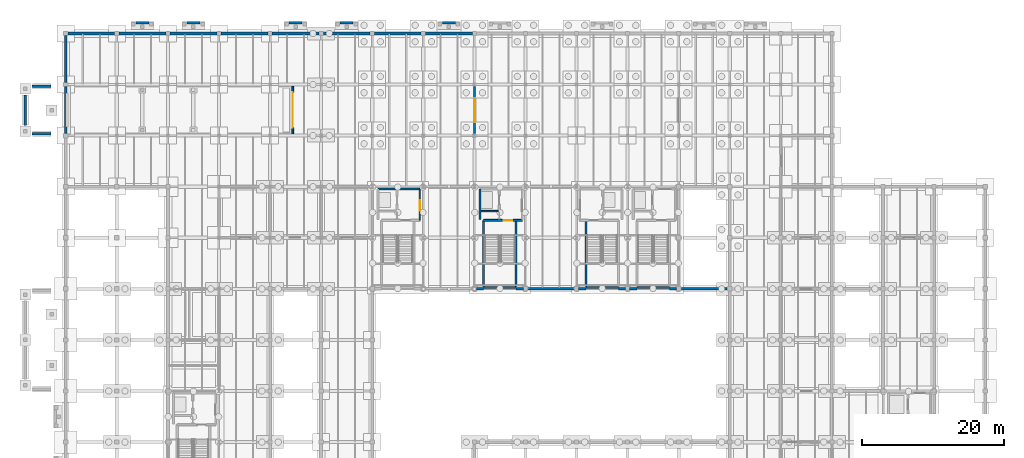
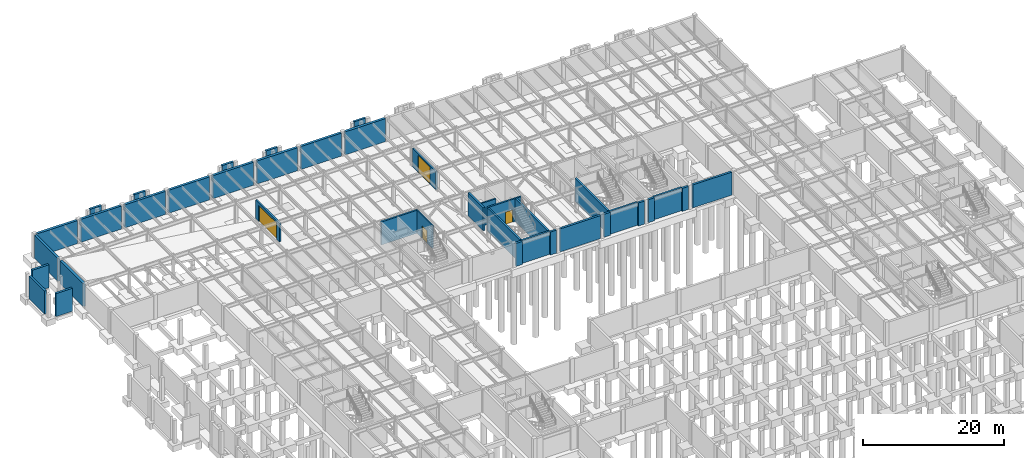
# One storey, part 35 of 46: 39 walls, 4 doors, 4 openings.
"""IFC4 building model written with IfcOpenShell, lengths in metres."""

from ifc_helpers import new_model, si_unit, direction, frame, frame_2d, origin, place, context, subcontext, project, spatial, rectangle, extrude, material, layer, layer_set, type_object, element, fill, save


model = new_model("IFC4")

# Units and contexts
model_context = context("Model", 3, precision=1e-05, world=origin(), true_north=direction((0.0, 1.0)))
body_context = subcontext(model_context, "Body", "Model", "MODEL_VIEW")
ifc_project = project(units=[si_unit("LENGTHUNIT", "METRE"), si_unit("AREAUNIT", "SQUARE_METRE"), si_unit("VOLUMEUNIT", "CUBIC_METRE"), si_unit("PLANEANGLEUNIT", "RADIAN"), si_unit("MASSUNIT", "GRAM", prefix="KILO")], contexts=[model_context])

# Site, building, storey
site_placement = place(None, origin())
site = spatial("IfcSite", under=ifc_project, at=site_placement, CompositionType="ELEMENT")
building_placement = place(site_placement, origin())
building = spatial("IfcBuilding", under=site, at=building_placement, Name="Sillqori Civic Hall", CompositionType="ELEMENT")
storey_placement = place(building_placement, frame((0.0, 0.0, -4.199951171875)))
storey = spatial("IfcBuildingStorey", under=building, at=storey_placement, Name="B01", CompositionType="ELEMENT", Elevation=-4.199951171875)

# Wall, opening, door
ifc_material_1 = material(Name="Concrete C35/45 (H35)", Category="concrete")
ifc_layer_1 = layer(ifc_material_1, 0.219970703125)
ifc_layer_set_1 = layer_set([ifc_layer_1], Name="Concrete C35/45 (H35)")
wall_type_1 = type_object("IfcWallType", Name="CW-SHR-220", PredefinedType="SHEAR", material=ifc_layer_set_1)
wall_1_placement = place(storey_placement, frame((57.1201171875, 93.300048828125, 0.0), z_axis=(0.0, 0.0, 1.0), x_axis=(0.0, -1.0, 0.0)))
wall_1 = element("IfcWall", 1, at=wall_1_placement, inside=storey, type_object=wall_type_1, Name="B01 C5 firefighting lobby enclosure wall", PredefinedType="SHEAR", context=body_context, shape_type="SweptSolid", body=[
    extrude(rectangle(XDim=4.449951171875, YDim=0.219970703125, at=frame_2d((2.22509765625, 0.0))), origin(), (0.0, 0.0, 1.0), 3.97998046875),
])
opening_1_placement = place(wall_1_placement, frame((1.625, 0.0, 0.0)))
opening_1 = element("IfcOpeningElement", 2, at=opening_1_placement, cuts=wall_1, Name="Opening FD-03", PredefinedType="OPENING", context=body_context, shape_type="SweptSolid", body=[
    extrude(rectangle(XDim=1.449951171875, YDim=2.199951171875, at=frame_2d((0.72509765625, 1.10009765625))), frame((0.0, 0.119873046875, 0.0), z_axis=(0.0, -1.0, 0.0), x_axis=(1.0, 0.0, 0.0)), (0.0, 0.0, 1.0), 0.239990234375),
])
ifc_material_2 = material(Name="Double-Leaf Smoke-Seal Lobby Door", Category="steel")
door_type_1 = type_object("IfcDoorType", Name="FDR-LOB-145X220", OperationType="NOTDEFINED", PredefinedType="DOOR", material=ifc_material_2)
door_1_placement = place(opening_1_placement, origin())
door_1 = element("IfcDoor", 3, at=door_1_placement, inside=storey, type_object=door_type_1, Name="B01 C5 firefighting lobby exit door", OperationType="DOUBLE_DOOR_SINGLE_SWING", OverallHeight=2.199951171875, OverallWidth=1.449951171875, PredefinedType="DOOR", context=body_context, shape_type="SweptSolid", body=[
    extrude(rectangle(XDim=1.449951171875, YDim=2.199951171875, at=frame_2d((0.72509765625, 1.10009765625))), frame((0.0, 0.02490234375, 0.0), z_axis=(0.0, -1.0, 0.0), x_axis=(1.0, 0.0, 0.0)), (0.0, 0.0, 1.0), 0.050048828125),
])
fill(opening_1, door_1)

# Wall
wall_2_placement = place(storey_placement, frame((65.75, 90.14990234375, 0.0), z_axis=(0.0, 0.0, 1.0), x_axis=(1.0, 0.0, 0.0)))
element("IfcWall", 4, at=wall_2_placement, inside=storey, type_object=wall_type_1, Name="B01 C6 Lift-riser divider wall", PredefinedType="SHEAR", context=body_context, shape_type="SweptSolid", body=[
    extrude(rectangle(XDim=2.39990234375, YDim=0.219970703125, at=frame_2d((1.199951171875, 0.0))), origin(), (0.0, 0.0, 1.0), 3.97998046875),
])

# Wall, opening, door
ifc_layer_2 = layer(ifc_material_1, 0.260009765625)
ifc_layer_set_2 = layer_set([ifc_layer_2], Name="Concrete C35/45 (H35)")
wall_type_2 = type_object("IfcWallType", Name="CW-SHR-260", PredefinedType="SHEAR", material=ifc_layer_set_2)
wall_3_placement = place(storey_placement, frame((66.110107421875, 88.85009765625, 0.0), z_axis=(0.0, 0.0, 1.0), x_axis=(1.0, 0.0, 0.0)))
wall_3 = element("IfcWall", 5, at=wall_3_placement, inside=storey, type_object=wall_type_2, Name="B01 C6 Stair-lobby fire wall", PredefinedType="SHEAR", context=body_context, shape_type="SweptSolid", body=[
    extrude(rectangle(XDim=5.409912109375, YDim=0.260009765625, at=frame_2d((2.705078125, 0.0))), origin(), (0.0, 0.0, 1.0), 3.97998046875),
])
opening_2_placement = place(wall_3_placement, frame((2.840087890625, 0.0, 0.0)))
opening_2 = element("IfcOpeningElement", 6, at=opening_2_placement, cuts=wall_3, Name="Opening FD-02", PredefinedType="OPENING", context=body_context, shape_type="SweptSolid", body=[
    extrude(rectangle(XDim=1.219970703125, YDim=2.14990234375, at=frame_2d((0.60986328125, 1.074951171875))), frame((0.0, 0.139892578125, 0.0), z_axis=(0.0, -1.0, 0.0), x_axis=(1.0, 0.0, 0.0)), (0.0, 0.0, 1.0), 0.280029296875),
])
ifc_material_3 = material(Name="Galvanized Steel Fire Door FD120S", Category="steel")
door_type_2 = type_object("IfcDoorType", Name="FDR-STR-122X215", OperationType="NOTDEFINED", PredefinedType="DOOR", material=ifc_material_3)
door_2_placement = place(opening_2_placement, origin())
door_2 = element("IfcDoor", 7, at=door_2_placement, inside=storey, type_object=door_type_2, Name="B01 stair ST-06 fire door", OperationType="SINGLE_SWING_RIGHT", OverallHeight=2.14990234375, OverallWidth=1.219970703125, PredefinedType="DOOR", context=body_context, shape_type="SweptSolid", body=[
    extrude(rectangle(XDim=1.219970703125, YDim=2.14990234375, at=frame_2d((0.60986328125, 1.074951171875))), frame((0.0, 0.02490234375, 0.0), z_axis=(0.0, -1.0, 0.0), x_axis=(1.0, 0.0, 0.0)), (0.0, 0.0, 1.0), 0.050048828125),
])
fill(opening_2, door_2)

# Walls
ifc_layer_3 = layer(ifc_material_1, 0.300048828125)
ifc_layer_set_3 = layer_set([ifc_layer_3], Name="Concrete C35/45 (H35)")
wall_type_3 = type_object("IfcWallType", Name="CW-SHR-300", PredefinedType="SHEAR", material=ifc_layer_set_3)
wall_4_placement = place(storey_placement, frame((51.199951171875, 93.300048828125, 0.0), z_axis=(0.0, 0.0, 1.0), x_axis=(1.0, 0.0, 0.0)))
element("IfcWall", 8, at=wall_4_placement, inside=storey, type_object=wall_type_3, Name="B01 C5 Core north shear wall", PredefinedType="SHEAR", context=body_context, shape_type="SweptSolid", body=[
    extrude(rectangle(XDim=5.920166015625, YDim=0.300048828125, at=frame_2d((2.9599609375, 0.0))), origin(), (0.0, 0.0, 1.0), 3.97998046875),
])
wall_5_placement = place(storey_placement, frame((66.110107421875, 79.39990234375, 0.0), z_axis=(0.0, 0.0, 1.0), x_axis=(1.0, 0.0, 0.0)))
element("IfcWall", 9, at=wall_5_placement, inside=storey, type_object=wall_type_3, Name="B01 C6 Stair south shear wall", PredefinedType="SHEAR", context=body_context, shape_type="SweptSolid", body=[
    extrude(rectangle(XDim=4.579833984375, YDim=0.300048828125, at=frame_2d((2.2900390625, 0.0))), origin(), (0.0, 0.0, 1.0), 3.97998046875),
])
for number, where, z_axis, x_axis, name in (
    (10, (66.110107421875, 79.550048828125, 0.0), (0.0, 0.0, 1.0), (0.0, 1.0, 0.0), "B01 C6 Stair west shear wall"),
    (11, (70.68994140625, 79.550048828125, 0.0), (0.0, 0.0, 1.0), (0.0, 1.0, 0.0), "B01 C6 Stair east shear wall"),
):
    element("IfcWall", number, at=place(storey_placement, frame(where, z_axis=z_axis, x_axis=x_axis)), inside=storey, type_object=wall_type_3, Name=name, PredefinedType="SHEAR", context=body_context, shape_type="SweptSolid", body=[
        extrude(rectangle(XDim=9.300048828125, YDim=0.300048828125, at=frame_2d((4.64990234375, 0.0))), origin(), (0.0, 0.0, 1.0), 3.97998046875),
    ])
wall_6_placement = place(storey_placement, frame((65.60009765625, 88.97998046875, 0.0), z_axis=(0.0, 0.0, 1.0), x_axis=(0.0, 1.0, 0.0)))
element("IfcWall", 12, at=wall_6_placement, inside=storey, type_object=wall_type_3, Name="B01 C6 Lift shaft west shear wall", PredefinedType="SHEAR", context=body_context, shape_type="SweptSolid", body=[
    extrude(rectangle(XDim=4.320068359375, YDim=0.300048828125, at=frame_2d((2.16015625, 0.0))), origin(), (0.0, 0.0, 1.0), 3.97998046875),
])
wall_7_placement = place(storey_placement, frame((80.510009765625, 79.39990234375, 0.0), z_axis=(0.0, 0.0, 1.0), x_axis=(1.0, 0.0, 0.0)))
element("IfcWall", 13, at=wall_7_placement, inside=storey, type_object=wall_type_3, Name="B01 C7 Stair south shear wall", PredefinedType="SHEAR", context=body_context, shape_type="SweptSolid", body=[
    extrude(rectangle(XDim=4.580078125, YDim=0.300048828125, at=frame_2d((2.2900390625, 0.0))), origin(), (0.0, 0.0, 1.0), 3.97998046875),
])
wall_8_placement = place(storey_placement, frame((80.510009765625, 79.550048828125, 0.0), z_axis=(0.0, 0.0, 1.0), x_axis=(0.0, 1.0, 0.0)))
element("IfcWall", 14, at=wall_8_placement, inside=storey, type_object=wall_type_3, Name="B01 C7 Stair west shear wall", PredefinedType="SHEAR", context=body_context, shape_type="SweptSolid", body=[
    extrude(rectangle(XDim=9.300048828125, YDim=0.300048828125, at=frame_2d((4.64990234375, 0.0))), origin(), (0.0, 0.0, 1.0), 3.97998046875),
])
wall_9_placement = place(storey_placement, frame((87.7099609375, 79.39990234375, 0.0), z_axis=(0.0, 0.0, 1.0), x_axis=(1.0, 0.0, 0.0)))
element("IfcWall", 15, at=wall_9_placement, inside=storey, type_object=wall_type_3, Name="B01 C8 Stair south shear wall", PredefinedType="SHEAR", context=body_context, shape_type="SweptSolid", body=[
    extrude(rectangle(XDim=4.580078125, YDim=0.300048828125, at=frame_2d((2.2900390625, 0.0))), origin(), (0.0, 0.0, 1.0), 3.97998046875),
])

# Wall, opening, door
ifc_material_4 = material(Name="Concrete C30/37 (H30)", Category="concrete")
ifc_layer_4 = layer(ifc_material_4, 0.260009765625)
ifc_layer_set_4 = layer_set([ifc_layer_4], Name="Concrete C30/37 (H30)")
wall_type_4 = type_object("IfcWallType", Name="EW-MAS-260", PredefinedType="SOLIDWALL", material=ifc_layer_set_4)
wall_10_placement = place(storey_placement, frame((39.199951171875, 101.050048828125, 0.0), z_axis=(0.0, 0.0, 1.0), x_axis=(0.0, 1.0, 0.0)))
wall_10 = element("IfcWall", 16, at=wall_10_placement, inside=storey, type_object=wall_type_4, Name="B01 vehicle ramp arrival portal wall", PredefinedType="SOLIDWALL", context=body_context, shape_type="SweptSolid", body=[
    extrude(rectangle(XDim=6.699951171875, YDim=0.260009765625, at=frame_2d((3.35009765625, 0.0))), origin(), (0.0, 0.0, 1.0), 3.219970703125),
])
opening_3_placement = place(wall_10_placement, frame((0.85009765625, 0.0, 0.0)))
opening_3 = element("IfcOpeningElement", 17, at=opening_3_placement, cuts=wall_10, Name="Opening DG-02", PredefinedType="OPENING", context=body_context, shape_type="SweptSolid", body=[
    extrude(rectangle(XDim=5.0, YDim=2.800048828125, at=frame_2d((2.5, 1.39990234375))), frame((0.0, 0.139892578125, 0.0), z_axis=(0.0, -1.0, 0.0), x_axis=(1.0, 0.0, 0.0)), (0.0, 0.0, 1.0), 0.280029296875),
])
ifc_material_5 = material(Name="Galvanized Insulated Steel", Category="steel")
door_type_3 = type_object("IfcDoorType", Name="GAT-BSMT-500X280", OperationType="NOTDEFINED", PredefinedType="GATE", material=ifc_material_5)
door_3_placement = place(opening_3_placement, origin())
door_3 = element("IfcDoor", 18, at=door_3_placement, inside=storey, type_object=door_type_3, Name="B01 car park security roller gate DG-02", OperationType="ROLLINGUP", OverallHeight=2.800048828125, OverallWidth=5.0, PredefinedType="GATE", context=body_context, shape_type="SweptSolid", body=[
    extrude(rectangle(XDim=5.0, YDim=2.800048828125, at=frame_2d((2.5, 1.39990234375))), frame((0.0, 0.02490234375, 0.0), z_axis=(0.0, -1.0, 0.0), x_axis=(1.0, 0.0, 0.0)), (0.0, 0.0, 1.0), 0.050048828125),
])
fill(opening_3, door_3)

wall_11_placement = place(storey_placement, frame((64.800048828125, 101.10009765625, 0.0), z_axis=(0.0, 0.0, 1.0), x_axis=(0.0, 1.0, 0.0)))
wall_11 = element("IfcWall", 19, at=wall_11_placement, inside=storey, type_object=wall_type_4, Name="B01 car park zone fire-shutter wall 1", PredefinedType="SOLIDWALL", context=body_context, shape_type="SweptSolid", body=[
    extrude(rectangle(XDim=6.599853515625, YDim=0.260009765625, at=frame_2d((3.2998046875, 0.0))), origin(), (0.0, 0.0, 1.0), 3.219970703125),
])
opening_4_placement = place(wall_11_placement, frame((1.60009765625, 0.0, 0.0)))
opening_4 = element("IfcOpeningElement", 20, at=opening_4_placement, cuts=wall_11, Name="Opening DG-04", PredefinedType="OPENING", context=body_context, shape_type="SweptSolid", body=[
    extrude(rectangle(XDim=3.39990234375, YDim=2.949951171875, at=frame_2d((1.699951171875, 1.47509765625))), frame((0.0, 0.139892578125, 0.0), z_axis=(0.0, -1.0, 0.0), x_axis=(1.0, 0.0, 0.0)), (0.0, 0.0, 1.0), 0.280029296875),
])
door_type_4 = type_object("IfcDoorType", Name="GAT-YARD-340X360", OperationType="NOTDEFINED", PredefinedType="GATE", material=ifc_material_5)
door_4_placement = place(opening_4_placement, origin())
door_4 = element("IfcDoor", 21, at=door_4_placement, inside=storey, type_object=door_type_4, Name="B01 car park fire-zone gate 1", OperationType="ROLLINGUP", OverallHeight=2.949951171875, OverallWidth=3.39990234375, PredefinedType="GATE", context=body_context, shape_type="SweptSolid", body=[
    extrude(rectangle(XDim=3.39990234375, YDim=2.949951171875, at=frame_2d((1.699951171875, 1.47509765625))), frame((0.0, 0.02490234375, 0.0), z_axis=(0.0, -1.0, 0.0), x_axis=(1.0, 0.0, 0.0)), (0.0, 0.0, 1.0), 0.050048828125),
])
fill(opening_4, door_4)

# Walls
ifc_layer_5 = layer(ifc_material_1, 0.35009765625)
ifc_layer_set_5 = layer_set([ifc_layer_5], Name="Concrete C35/45 (H35)")
wall_type_5 = type_object("IfcWallType", Name="RW-H35-350", PredefinedType="USERDEFINED", material=ifc_layer_set_5)
for number, where, z_axis, x_axis, name in (
    (22, (65.10009765625, 79.199951171875, 0.0), (0.0, 0.0, 1.0), (1.0, 0.0, 0.0), "Basement retaining wall S 9-11 part 1"),
    (23, (70.68994140625, 79.199951171875, 0.0), (0.0, 0.0, 1.0), (1.0, 0.0, 0.0), "Basement retaining wall S 9-11 part 2"),
):
    element("IfcWall", number, at=place(storey_placement, frame(where, z_axis=z_axis, x_axis=x_axis)), inside=storey, type_object=wall_type_5, Name=name, ObjectType="RETAININGWALL", PredefinedType="USERDEFINED", context=body_context, shape_type="SweptSolid", body=[
        extrude(rectangle(XDim=1.010009765625, YDim=0.35009765625, at=frame_2d((0.5048828125, 0.0))), origin(), (0.0, 0.0, 1.0), 3.97998046875),
    ])
wall_12_placement = place(storey_placement, frame((72.300048828125, 79.199951171875, 0.0), z_axis=(0.0, 0.0, 1.0), x_axis=(1.0, 0.0, 0.0)))
element("IfcWall", 24, at=wall_12_placement, inside=storey, type_object=wall_type_5, Name="Basement retaining wall S 10-11", ObjectType="RETAININGWALL", PredefinedType="USERDEFINED", context=body_context, shape_type="SweptSolid", body=[
    extrude(rectangle(XDim=6.599853515625, YDim=0.35009765625, at=frame_2d((3.2998046875, 0.0))), origin(), (0.0, 0.0, 1.0), 3.97998046875),
])
for number, where, z_axis, x_axis, name in (
    (25, (79.5, 79.199951171875, 0.0), (0.0, 0.0, 1.0), (1.0, 0.0, 0.0), "Basement retaining wall S 11-11 part 1"),
    (26, (85.090087890625, 79.199951171875, 0.0), (0.0, 0.0, 1.0), (1.0, 0.0, 0.0), "Basement retaining wall S 11-11 part 2"),
    (27, (86.699951171875, 79.199951171875, 0.0), (0.0, 0.0, 1.0), (1.0, 0.0, 0.0), "Basement retaining wall S 12-11 part 1"),
    (28, (92.2900390625, 79.199951171875, 0.0), (0.0, 0.0, 1.0), (1.0, 0.0, 0.0), "Basement retaining wall S 12-11 part 2"),
):
    element("IfcWall", number, at=place(storey_placement, frame(where, z_axis=z_axis, x_axis=x_axis)), inside=storey, type_object=wall_type_5, Name=name, ObjectType="RETAININGWALL", PredefinedType="USERDEFINED", context=body_context, shape_type="SweptSolid", body=[
        extrude(rectangle(XDim=1.010009765625, YDim=0.35009765625, at=frame_2d((0.5048828125, 0.0))), origin(), (0.0, 0.0, 1.0), 3.97998046875),
    ])
wall_13_placement = place(storey_placement, frame((94.0, 79.199951171875, 0.0), z_axis=(0.0, 0.0, 1.0), x_axis=(1.0, 0.0, 0.0)))
element("IfcWall", 29, at=wall_13_placement, inside=storey, type_object=wall_type_5, Name="Podium plinth retaining wall S 13-11", ObjectType="RETAININGWALL", PredefinedType="USERDEFINED", context=body_context, shape_type="SweptSolid", body=[
    extrude(rectangle(XDim=6.39990234375, YDim=0.35009765625, at=frame_2d((3.199951171875, 0.0))), origin(), (0.0, 0.0, 1.0), 3.97998046875),
])
wall_14_placement = place(storey_placement, frame((1.5, 102.25, 0.0), z_axis=(0.0, 0.0, 1.0), x_axis=(0.0, 1.0, 0.0)))
element("IfcWall", 30, at=wall_14_placement, inside=storey, type_object=wall_type_5, Name="Car park ramp grade apron plinth retaining wall W", ObjectType="RETAININGWALL", PredefinedType="USERDEFINED", context=body_context, shape_type="SweptSolid", body=[
    extrude(rectangle(XDim=4.300048828125, YDim=0.35009765625, at=frame_2d((2.14990234375, 0.0))), origin(), (0.0, 0.0, 1.0), 3.97998046875),
])
for number, where, z_axis, x_axis, name in (
    (31, (2.449951171875, 101.050048828125, 0.0), (0.0, 0.0, 1.0), (1.0, 0.0, 0.0), "Car park ramp grade apron plinth retaining wall S"),
    (32, (2.449951171875, 107.75, 0.0), (0.0, 0.0, 1.0), (1.0, 0.0, 0.0), "Car park ramp grade apron plinth retaining wall N"),
):
    element("IfcWall", number, at=place(storey_placement, frame(where, z_axis=z_axis, x_axis=x_axis)), inside=storey, type_object=wall_type_5, Name=name, ObjectType="RETAININGWALL", PredefinedType="USERDEFINED", context=body_context, shape_type="SweptSolid", body=[
        extrude(rectangle(XDim=2.699951171875, YDim=0.35009765625, at=frame_2d((1.35009765625, 0.0))), origin(), (0.0, 0.0, 1.0), 3.97998046875),
    ])
wall_15_placement = place(storey_placement, frame((17.080078125, 116.679931640625, 0.0), z_axis=(0.0, 0.0, 1.0), x_axis=(1.0, 0.0, 0.0)))
element("IfcWall", 33, at=wall_15_placement, inside=storey, type_object=wall_type_5, Name="North Civic Garden Far West Exit plinth retaining wall", ObjectType="RETAININGWALL", PredefinedType="USERDEFINED", context=body_context, shape_type="SweptSolid", body=[
    extrude(rectangle(XDim=1.83984375, YDim=0.35009765625, at=frame_2d((0.919921875, 0.0))), origin(), (0.0, 0.0, 1.0), 3.97998046875),
])
for number, where, z_axis, x_axis, name in (
    (34, (24.280029296875, 116.679931640625, 0.0), (0.0, 0.0, 1.0), (1.0, 0.0, 0.0), "North Civic Garden West Exit plinth retaining wall"),
    (35, (38.679931640625, 116.679931640625, 0.0), (0.0, 0.0, 1.0), (1.0, 0.0, 0.0), "North Civic Garden Promenade Exit plinth retaining wall"),
    (36, (45.8798828125, 116.679931640625, 0.0), (0.0, 0.0, 1.0), (1.0, 0.0, 0.0), "North Civic Garden Core C5 Exit plinth retaining wall"),
    (37, (60.280029296875, 116.679931640625, 0.0), (0.0, 0.0, 1.0), (1.0, 0.0, 0.0), "North Civic Garden Core C6 Exit plinth retaining wall"),
):
    element("IfcWall", number, at=place(storey_placement, frame(where, z_axis=z_axis, x_axis=x_axis)), inside=storey, type_object=wall_type_5, Name=name, ObjectType="RETAININGWALL", PredefinedType="USERDEFINED", context=body_context, shape_type="SweptSolid", body=[
        extrude(rectangle(XDim=1.840087890625, YDim=0.35009765625, at=frame_2d((0.919921875, 0.0))), origin(), (0.0, 0.0, 1.0), 3.97998046875),
    ])
ifc_layer_6 = layer(ifc_material_1, 0.39990234375)
ifc_layer_set_6 = layer_set([ifc_layer_6], Name="Concrete C35/45 (H35)")
wall_type_6 = type_object("IfcWallType", Name="RW-H35-400", PredefinedType="USERDEFINED", material=ifc_layer_set_6)
wall_16_placement = place(storey_placement, frame((7.199951171875, 101.10009765625, 0.0), z_axis=(0.0, 0.0, 1.0), x_axis=(0.0, 1.0, 0.0)))
element("IfcWall", 38, at=wall_16_placement, inside=storey, type_object=wall_type_6, Name="Basement retaining wall W 1-14", ObjectType="RETAININGWALL", PredefinedType="USERDEFINED", context=body_context, shape_type="SweptSolid", body=[
    extrude(rectangle(XDim=6.599853515625, YDim=0.39990234375, at=frame_2d((3.2998046875, 0.0))), origin(), (0.0, 0.0, 1.0), 3.97998046875),
])
wall_17_placement = place(storey_placement, frame((7.5, 115.199951171875, 0.0), z_axis=(0.0, 0.0, 1.0), x_axis=(1.0, 0.0, 0.0)))
element("IfcWall", 39, at=wall_17_placement, inside=storey, type_object=wall_type_6, Name="Basement retaining wall N 1-15", ObjectType="RETAININGWALL", PredefinedType="USERDEFINED", context=body_context, shape_type="SweptSolid", body=[
    extrude(rectangle(XDim=6.60009765625, YDim=0.39990234375, at=frame_2d((3.300048828125, 0.0))), origin(), (0.0, 0.0, 1.0), 3.97998046875),
])
wall_18_placement = place(storey_placement, frame((7.199951171875, 108.300048828125, 0.0), z_axis=(0.0, 0.0, 1.0), x_axis=(0.0, 1.0, 0.0)))
element("IfcWall", 40, at=wall_18_placement, inside=storey, type_object=wall_type_6, Name="Basement retaining wall W 1-15", ObjectType="RETAININGWALL", PredefinedType="USERDEFINED", context=body_context, shape_type="SweptSolid", body=[
    extrude(rectangle(XDim=6.599853515625, YDim=0.39990234375, at=frame_2d((3.2998046875, 0.0))), origin(), (0.0, 0.0, 1.0), 3.97998046875),
])
for number, where, z_axis, x_axis, name in (
    (41, (14.699951171875, 115.199951171875, 0.0), (0.0, 0.0, 1.0), (1.0, 0.0, 0.0), "Basement retaining wall N 2-15"),
    (42, (21.89990234375, 115.199951171875, 0.0), (0.0, 0.0, 1.0), (1.0, 0.0, 0.0), "Basement retaining wall N 3-15"),
):
    element("IfcWall", number, at=place(storey_placement, frame(where, z_axis=z_axis, x_axis=x_axis)), inside=storey, type_object=wall_type_6, Name=name, ObjectType="RETAININGWALL", PredefinedType="USERDEFINED", context=body_context, shape_type="SweptSolid", body=[
        extrude(rectangle(XDim=6.60009765625, YDim=0.39990234375, at=frame_2d((3.300048828125, 0.0))), origin(), (0.0, 0.0, 1.0), 3.97998046875),
    ])
for number, where, z_axis, x_axis, name in (
    (43, (29.10009765625, 115.199951171875, 0.0), (0.0, 0.0, 1.0), (1.0, 0.0, 0.0), "Basement retaining wall N 4-15"),
    (44, (36.300048828125, 115.199951171875, 0.0), (0.0, 0.0, 1.0), (1.0, 0.0, 0.0), "Basement retaining wall N 5-15"),
):
    element("IfcWall", number, at=place(storey_placement, frame(where, z_axis=z_axis, x_axis=x_axis)), inside=storey, type_object=wall_type_6, Name=name, ObjectType="RETAININGWALL", PredefinedType="USERDEFINED", context=body_context, shape_type="SweptSolid", body=[
        extrude(rectangle(XDim=6.599853515625, YDim=0.39990234375, at=frame_2d((3.2998046875, 0.0))), origin(), (0.0, 0.0, 1.0), 3.97998046875),
    ])
for number, where, z_axis, x_axis, name in (
    (45, (43.5, 115.199951171875, 0.0), (0.0, 0.0, 1.0), (1.0, 0.0, 0.0), "Basement retaining wall N 6-15"),
    (46, (50.699951171875, 115.199951171875, 0.0), (0.0, 0.0, 1.0), (1.0, 0.0, 0.0), "Basement retaining wall N 7-15"),
    (47, (57.89990234375, 115.199951171875, 0.0), (0.0, 0.0, 1.0), (1.0, 0.0, 0.0), "Basement retaining wall N 8-15"),
):
    element("IfcWall", number, at=place(storey_placement, frame(where, z_axis=z_axis, x_axis=x_axis)), inside=storey, type_object=wall_type_6, Name=name, ObjectType="RETAININGWALL", PredefinedType="USERDEFINED", context=body_context, shape_type="SweptSolid", body=[
        extrude(rectangle(XDim=6.60009765625, YDim=0.39990234375, at=frame_2d((3.300048828125, 0.0))), origin(), (0.0, 0.0, 1.0), 3.97998046875),
    ])

save(model, "model.ifc")
